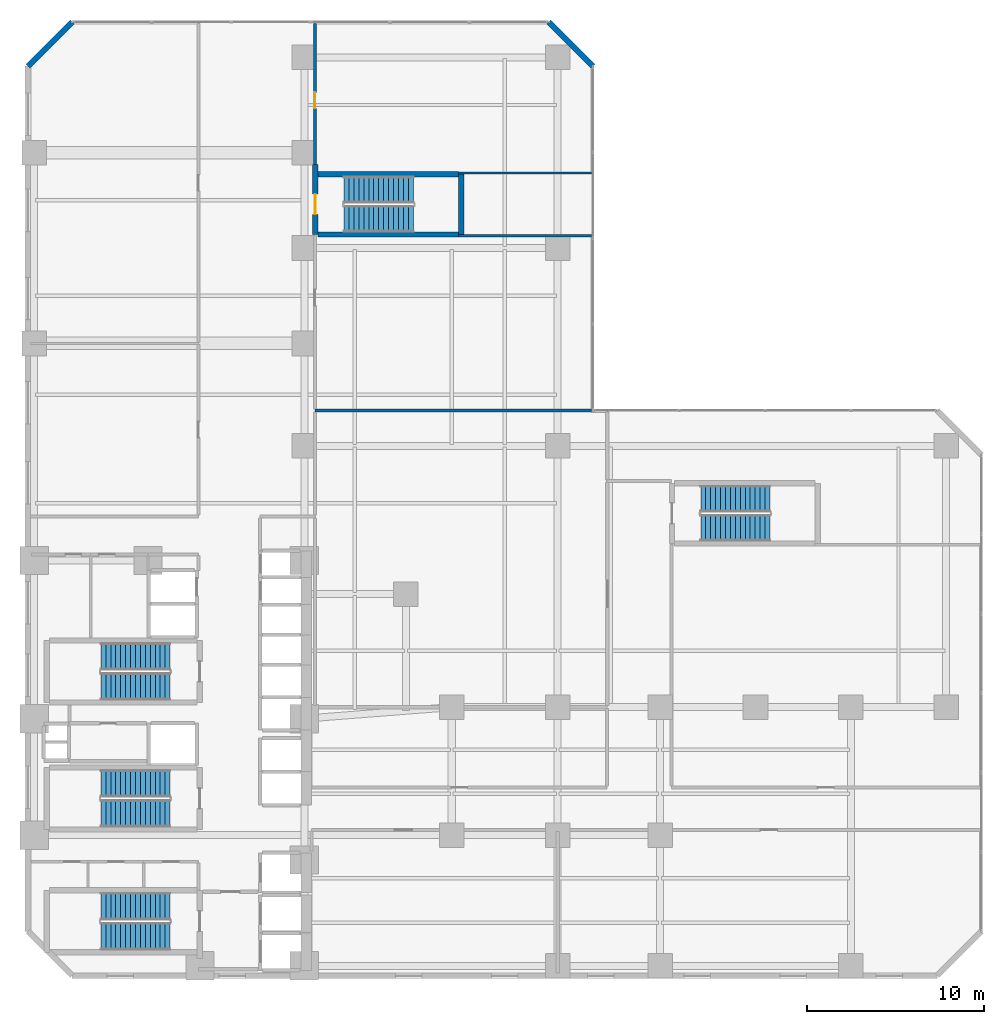
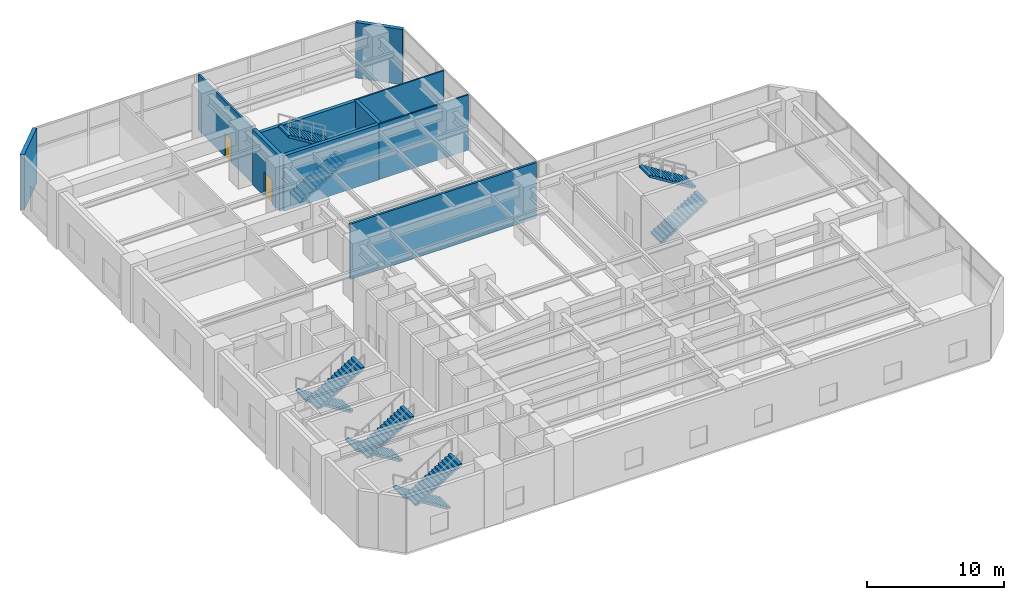
# One storey, part 17 of 22: 10 stair flights, 10 walls, 2 doors, 2 openings, 5 elements without a shape of their own.
"""IFC4 building model written with IfcOpenShell, lengths in metres."""

import ifcopenshell
import ifcopenshell.guid

model = None  # the IFC model being written
_history = None  # IfcOwnerHistory: only IFC2X3 demands one
_inside = {}  # id of a spatial element -> (the spatial element, [elements in it])
_under = {}  # id of a project, library or spatial element -> (it, [spatial elements below it])
_declared = {}  # id of a project -> (the project, [libraries it declares])
_typed = {}  # id of a type object -> (the type object, [elements of that type])
_made_of = {}  # id of a material, layer set ... -> (it, [elements and type objects made of it])


def new_model(schema):
    """Start an empty IFC model of exactly this schema.

    Asked for "IFC4X3", IfcOpenShell would pick the latest addendum, in which some entities
    have other attributes; the version numbers below select the first issue.
    IFC2X3 requires an IfcOwnerHistory on every rooted entity: one is made here for all.
    """
    global model, _history
    if schema == "IFC4X3":
        model = ifcopenshell.file(schema_version=(4, 3, 0, 0))
    else:
        model = ifcopenshell.file(schema=schema)
    _inside.clear()
    _under.clear()
    _declared.clear()
    _typed.clear()
    _made_of.clear()
    _history = None
    if model.schema == "IFC2X3":
        org = make("IfcOrganization", Name="unknown")
        user = make(
            "IfcPersonAndOrganization",
            ThePerson=make("IfcPerson", FamilyName="unknown"),
            TheOrganization=org,
        )
        app = make(
            "IfcApplication",
            ApplicationDeveloper=org,
            Version="unknown",
            ApplicationFullName="unknown",
            ApplicationIdentifier="unknown",
        )
        _history = make(
            "IfcOwnerHistory",
            OwningUser=user,
            OwningApplication=app,
            ChangeAction="ADDED",
            CreationDate=0,
        )
    return model


def make(cls, **values):
    """One entity of the class cls with the attributes given. An attribute that is None is left unset."""
    return model.create_entity(
        cls, **{name: value for name, value in values.items() if value is not None}
    )


def rooted(cls, **values):
    """An entity with a GlobalId (a new one), such as an element, a storey or a relation."""
    return make(cls, GlobalId=ifcopenshell.guid.new(), OwnerHistory=_history, **values)


def si_unit(unit_type, name, prefix=None):
    """IfcSIUnit, for example si_unit("LENGTHUNIT", "METRE", prefix="MILLI")."""
    return make("IfcSIUnit", UnitType=unit_type, Prefix=prefix, Name=name)


def assignment(units):
    """IfcUnitAssignment: the units of a project."""
    return None if units is None else make("IfcUnitAssignment", Units=units)


def point(xyz):
    """IfcCartesianPoint."""
    return None if xyz is None else make("IfcCartesianPoint", Coordinates=xyz)


def direction(xyz):
    """IfcDirection."""
    return None if xyz is None else make("IfcDirection", DirectionRatios=xyz)


def frame(location, z_axis=None, x_axis=None):
    """IfcAxis2Placement3D, a coordinate frame: its origin and axes. An axis left out is left unset."""
    return make(
        "IfcAxis2Placement3D",
        Location=point(location),
        Axis=direction(z_axis),
        RefDirection=direction(x_axis),
    )


def frame_2d(location, x_axis=None):
    """IfcAxis2Placement2D, a coordinate frame in the plane: its origin and x axis."""
    return make(
        "IfcAxis2Placement2D", Location=point(location), RefDirection=direction(x_axis)
    )


def origin():
    """The frame at (0, 0, 0) with its axes left unset."""
    return frame((0.0, 0.0, 0.0))


def place(relative_to, where):
    """IfcLocalPlacement: puts the frame where relative to a parent placement (None: the world)."""
    return make(
        "IfcLocalPlacement", PlacementRelTo=relative_to, RelativePlacement=where
    )


def context(
    kind, dimensions, precision=None, world=None, true_north=None, identifier=None
):
    """IfcGeometricRepresentationContext, for example the 3D "Model" context."""
    return make(
        "IfcGeometricRepresentationContext",
        ContextIdentifier=identifier,
        ContextType=kind,
        CoordinateSpaceDimension=dimensions,
        Precision=precision,
        WorldCoordinateSystem=world,
        TrueNorth=true_north,
    )


def subcontext(parent, identifier, kind, view, scale=None):
    """IfcGeometricRepresentationSubContext, for example "Body" below "Model"."""
    return make(
        "IfcGeometricRepresentationSubContext",
        ContextIdentifier=identifier,
        ContextType=kind,
        ParentContext=parent,
        TargetScale=scale,
        TargetView=view,
    )


def project(units=None, contexts=None):
    """IfcProject with its units and contexts."""
    return rooted(
        "IfcProject",
        Name="project",
        RepresentationContexts=contexts,
        UnitsInContext=assignment(units),
    )


def spatial(cls, under=None, at=None, **own):
    """A site, building, storey or space (cls), placed at a placement, below another one or the project."""
    s = rooted(cls, ObjectPlacement=at, **own)
    if under is not None:
        _under.setdefault(under.id(), (under, []))[1].append(s)
    return s


def polyline(points):
    """IfcPolyline through the points."""
    return make("IfcPolyline", Points=[point(p) for p in points])


def profile(cls, at=None, kind="AREA", **sizes):
    """A parametric profile (cls). Its sizes go by their IFC names, for example OverallWidth=200.0."""
    return make(cls, ProfileType=kind, Position=at, **sizes)


def rectangle(**sizes):
    """IfcRectangleProfileDef."""
    return profile("IfcRectangleProfileDef", **sizes)


def outline(outer, holes=None, kind="AREA"):
    """IfcArbitraryClosedProfileDef: a profile drawn as a closed curve; with holes, ...WithVoids."""
    if holes is None:
        return make("IfcArbitraryClosedProfileDef", ProfileType=kind, OuterCurve=outer)
    return make(
        "IfcArbitraryProfileDefWithVoids",
        ProfileType=kind,
        OuterCurve=outer,
        InnerCurves=holes,
    )


def extrude(swept, where, along, depth):
    """IfcExtrudedAreaSolid: the profile swept, set in the frame where, extruded along a direction by depth."""
    return make(
        "IfcExtrudedAreaSolid",
        SweptArea=swept,
        Position=where,
        ExtrudedDirection=direction(along),
        Depth=depth,
    )


def shape(context_of_items, identifier, shape_type, items):
    """IfcShapeRepresentation: the items that make up one representation, for example the "Body"."""
    return make(
        "IfcShapeRepresentation",
        ContextOfItems=context_of_items,
        RepresentationIdentifier=identifier,
        RepresentationType=shape_type,
        Items=items,
    )


def material(Name=None, Category=None):
    """IfcMaterial."""
    return make("IfcMaterial", Name=Name, Category=Category)


def layer(
    of_material, thickness, ventilated=None, Name=None, Category=None, Priority=None
):
    """IfcMaterialLayer: one layer of a wall or slab, of a material (None: an air gap)."""
    return make(
        "IfcMaterialLayer",
        Material=of_material,
        LayerThickness=thickness,
        IsVentilated=ventilated,
        Name=Name,
        Category=Category,
        Priority=Priority,
    )


def layer_set(layers, Name=None):
    """IfcMaterialLayerSet."""
    return make("IfcMaterialLayerSet", MaterialLayers=layers, LayerSetName=Name)


def made_of(thing, what):
    """Note that an element or type object is made of a material, layer set ...; save() writes the relation."""
    if what is not None:
        _made_of.setdefault(what.id(), (what, []))[1].append(thing)
    return thing


def type_object(cls, material=None, **own):
    """A type object (cls), such as IfcWallType, which elements share."""
    return made_of(rooted(cls, **own), material)


def element(
    cls,
    number,
    at=None,
    inside=None,
    cuts=None,
    type_object=None,
    material=None,
    context=None,
    identifier="Body",
    shape_type=None,
    held_by="IfcProductDefinitionShape",
    body=None,
    shapes=None,
    **own,
):
    """One element of the class cls, such as IfcWall. Its Tag is "e" and its number.

    at: its placement. inside: the storey or other place that contains it. cuts: it is an
    opening in that element (IfcRelVoidsElement). A single representation is given by context,
    identifier, shape_type and body (its items); several are given by shapes. held_by: the class
    of the entity that holds the representations. save() writes the other relations.
    """
    e = rooted(cls, Tag="e%d" % number, ObjectPlacement=at, **own)
    if body is not None:
        shapes = [shape(context, identifier, shape_type, body)]
    if shapes is not None:
        e.Representation = make(held_by, Representations=shapes)
    if inside is not None:
        _inside.setdefault(inside.id(), (inside, []))[1].append(e)
    if cuts is not None:
        rooted(
            "IfcRelVoidsElement", RelatingBuildingElement=cuts, RelatedOpeningElement=e
        )
    if type_object is not None:
        _typed.setdefault(type_object.id(), (type_object, []))[1].append(e)
    return made_of(e, material)


def fill(opening, filler):
    """IfcRelFillsElement: the door or window that sits in an opening."""
    return rooted(
        "IfcRelFillsElement",
        RelatingOpeningElement=opening,
        RelatedBuildingElement=filler,
    )


def aggregate(whole, parts):
    """IfcRelAggregates: a whole, such as a stair, and the parts it consists of."""
    return rooted("IfcRelAggregates", RelatingObject=whole, RelatedObjects=parts)


def save(model, path):
    """Write the relations noted so far, then the file.

    IfcRelAggregates (storeys below a building ...), IfcRelContainedInSpatialStructure (elements
    in a storey), IfcRelDefinesByType, IfcRelAssociatesMaterial and IfcRelDeclares: one each for
    every whole, place, type object, material and project.
    """
    for whole, parts in _under.values():
        aggregate(whole, parts)
    for where, things in _inside.values():
        rooted(
            "IfcRelContainedInSpatialStructure",
            RelatedElements=things,
            RelatingStructure=where,
        )
    for kind, things in _typed.values():
        rooted("IfcRelDefinesByType", RelatedObjects=things, RelatingType=kind)
    for what, things in _made_of.values():
        rooted("IfcRelAssociatesMaterial", RelatedObjects=things, RelatingMaterial=what)
    for by, libraries in _declared.values():
        rooted("IfcRelDeclares", RelatingContext=by, RelatedDefinitions=libraries)
    model.write(path)


model = new_model("IFC4")

# Units and contexts
model_context = context("Model", 3, precision=1e-05, world=origin(), true_north=direction((0.0, 1.0)))
body_context = subcontext(model_context, "Body", "Model", "MODEL_VIEW")
ifc_project = project(units=[si_unit("LENGTHUNIT", "METRE"), si_unit("AREAUNIT", "SQUARE_METRE"), si_unit("VOLUMEUNIT", "CUBIC_METRE"), si_unit("PLANEANGLEUNIT", "RADIAN"), si_unit("MASSUNIT", "GRAM", prefix="KILO")], contexts=[model_context])

# Site, building, storey
site_placement = place(None, origin())
site = spatial("IfcSite", under=ifc_project, at=site_placement, CompositionType="ELEMENT")
building_placement = place(site_placement, origin())
building = spatial("IfcBuilding", under=site, at=building_placement, Name="Mawjaban Terraces University", CompositionType="ELEMENT")
storey_placement = place(building_placement, frame((0.0, 0.0, 5.199951171875)))
storey = spatial("IfcBuildingStorey", under=building, at=storey_placement, Name="L01", CompositionType="ELEMENT", Elevation=5.199951171875)

# Wall
ifc_material_1 = material(Name="Acoustic masonry blockwork", Category="masonry")
ifc_layer_1 = layer(ifc_material_1, 0.179931640625)
ifc_layer_set_1 = layer_set([ifc_layer_1], Name="Acoustic masonry blockwork")
wall_type_1 = type_object("IfcWallType", Name="AcousticStudioWall_180", PredefinedType="PARTITIONING", material=ifc_layer_set_1)
wall_1_placement = place(storey_placement, frame((38.25, 32.0, 0.0), z_axis=(0.0, 0.0, 1.0), x_axis=(1.0, 0.0, 0.0)))
element("IfcWall", 1, at=wall_1_placement, inside=storey, type_object=wall_type_1, Name="L01 Digital Scholarship Reading Hall Partition 16", PredefinedType="PARTITIONING", context=body_context, shape_type="SweptSolid", body=[
    extrude(rectangle(XDim=15.659912109375, YDim=0.179931640625, at=frame_2d((7.830078125, 0.0))), origin(), (0.0, 0.0, 1.0), 4.920166015625),
])

# Wall, opening, door
ifc_material_2 = material(Name="Fire-rated gypsum board on steel stud", Category="steel")
ifc_layer_2 = layer(ifc_material_2, 0.159912109375)
ifc_layer_set_2 = layer_set([ifc_layer_2], Name="Fire-rated gypsum board on steel stud")
wall_type_2 = type_object("IfcWallType", Name="CorridorPartition_160", PredefinedType="PARTITIONING", material=ifc_layer_set_2)
wall_2_placement = place(storey_placement, frame((38.25, 45.919921875, 0.0), z_axis=(0.0, 0.0, 1.0), x_axis=(0.0, 1.0, 0.0)))
wall_2 = element("IfcWall", 2, at=wall_2_placement, inside=storey, type_object=wall_type_2, Name="L01 Podium Library Concourse Partition 38", PredefinedType="PARTITIONING", context=body_context, shape_type="SweptSolid", body=[
    extrude(rectangle(XDim=7.989990234375, YDim=0.159912109375, at=frame_2d((3.9951171875, 0.0))), origin(), (0.0, 0.0, 1.0), 4.920166015625),
])
opening_1_placement = place(wall_2_placement, frame((3.195068359375, 0.0, 0.0)))
opening_1 = element("IfcOpeningElement", 3, at=opening_1_placement, cuts=wall_2, Name="Opening ID-090", PredefinedType="OPENING", context=body_context, shape_type="SweptSolid", body=[
    extrude(rectangle(XDim=0.89990234375, YDim=2.10009765625, at=frame_2d((0.449951171875, 1.050048828125))), frame((0.0, 0.08984375, 0.0), z_axis=(0.0, -1.0, 0.0), x_axis=(1.0, 0.0, 0.0)), (0.0, 0.0, 1.0), 0.179931640625),
])
ifc_material_3 = material(Name="Powder-coated steel frame and solid acoustic timber leaf", Category="steel")
door_type_1 = type_object("IfcDoorType", Name="OfficeDoor_900x2100", OperationType="NOTDEFINED", PredefinedType="DOOR", material=ifc_material_3)
door_1_placement = place(opening_1_placement, origin())
door_1 = element("IfcDoor", 4, at=door_1_placement, inside=storey, type_object=door_type_1, Name="L01 Special Collections Study Room Door", OperationType="SINGLE_SWING_LEFT", OverallHeight=2.10009765625, OverallWidth=0.89990234375, PredefinedType="DOOR", context=body_context, shape_type="SweptSolid", body=[
    extrude(rectangle(XDim=0.89990234375, YDim=2.10009765625, at=frame_2d((0.449951171875, 1.050048828125))), frame((0.0, 0.02490234375, 0.0), z_axis=(0.0, -1.0, 0.0), x_axis=(1.0, 0.0, 0.0)), (0.0, 0.0, 1.0), 0.050048828125),
])
fill(opening_1, door_1)

# Walls
ifc_material_4 = material(Name="Insulated terracotta rainscreen on concrete backup C40/50", Category="masonry")
ifc_layer_3 = layer(ifc_material_4, 0.320068359375)
ifc_layer_set_3 = layer_set([ifc_layer_3], Name="Insulated terracotta rainscreen on concrete backup C40/50")
wall_type_3 = type_object("IfcWallType", Name="ExtTerracottaWall_320", PredefinedType="SOLIDWALL", material=ifc_layer_set_3)
for number, where, z_axis, x_axis, name in (
    (5, (54.0, 51.5, 0.0), (0.0, 0.0, 1.0), (-0.707106781187, 0.707106781187, 0.0), "L01 Exterior Terracotta Wall 7"),
    (6, (24.5, 54.0, 0.0), (0.0, 0.0, 1.0), (-0.707106781187, -0.707106781187, 0.0), "L01 Exterior Terracotta Wall 9"),
):
    element("IfcWall", number, at=place(storey_placement, frame(where, z_axis=z_axis, x_axis=x_axis)), inside=storey, type_object=wall_type_3, Name=name, PredefinedType="SOLIDWALL", context=body_context, shape_type="SweptSolid", body=[
        extrude(rectangle(XDim=3.53564453125, YDim=0.320068359375, at=frame_2d((1.767822265625, 0.0))), origin(), (0.0, 0.0, 1.0), 4.920166015625),
    ])
ifc_material_5 = material(Name="Gypsum plasterboard on steel stud", Category="steel")
ifc_layer_4 = layer(ifc_material_5, 0.125)
ifc_layer_set_4 = layer_set([ifc_layer_4], Name="Gypsum plasterboard on steel stud")
wall_type_4 = type_object("IfcWallType", Name="OfficePartition_125", PredefinedType="PARTITIONING", material=ifc_layer_set_4)
for number, where, z_axis, x_axis, name in (
    (7, (46.3798828125, 45.449951171875, 0.0), (0.0, 0.0, 1.0), (1.0, 0.0, 0.0), "L01 Special Collections Study Room Partition 17"),
    (8, (53.909912109375, 41.89990234375, 0.0), (0.0, 0.0, 1.0), (-1.0, 0.0, 0.0), "L01 Digital Scholarship Reading Hall Partition 19"),
):
    element("IfcWall", number, at=place(storey_placement, frame(where, z_axis=z_axis, x_axis=x_axis)), inside=storey, type_object=wall_type_4, Name=name, PredefinedType="PARTITIONING", context=body_context, shape_type="SweptSolid", body=[
        extrude(rectangle(XDim=7.530029296875, YDim=0.125, at=frame_2d((3.76513671875, 0.0))), origin(), (0.0, 0.0, 1.0), 4.920166015625),
    ])
ifc_material_6 = material(Name="Concrete C60/75", Category="concrete")
ifc_layer_5 = layer(ifc_material_6, 0.300048828125)
ifc_layer_set_5 = layer_set([ifc_layer_5], Name="Concrete C60/75")
wall_type_5 = type_object("IfcWallType", Name="StairShaftWall_300", PredefinedType="SHEAR", material=ifc_layer_set_5)
wall_3_placement = place(storey_placement, frame((38.419921875, 41.969970703125, 0.0), z_axis=(0.0, 0.0, 1.0), x_axis=(1.0, 0.0, 0.0)))
element("IfcWall", 9, at=wall_3_placement, inside=storey, type_object=wall_type_5, Name="L01 ST-4 Stair Shaft Wall 1", PredefinedType="SHEAR", context=body_context, shape_type="SweptSolid", body=[
    extrude(rectangle(XDim=7.9599609375, YDim=0.300048828125, at=frame_2d((3.97998046875, 0.0))), origin(), (0.0, 0.0, 1.0), 4.920166015625),
])
wall_4_placement = place(storey_placement, frame((46.530029296875, 41.969970703125, 0.0), z_axis=(0.0, 0.0, 1.0), x_axis=(0.0, 1.0, 0.0)))
element("IfcWall", 10, at=wall_4_placement, inside=storey, type_object=wall_type_5, Name="L01 ST-4 Stair Shaft Wall 2", PredefinedType="SHEAR", context=body_context, shape_type="SweptSolid", body=[
    extrude(rectangle(XDim=3.409912109375, YDim=0.300048828125, at=frame_2d((1.705078125, 0.0))), origin(), (0.0, 0.0, 1.0), 4.920166015625),
])
wall_5_placement = place(storey_placement, frame((46.3798828125, 45.3798828125, 0.0), z_axis=(0.0, 0.0, 1.0), x_axis=(-1.0, 0.0, 0.0)))
element("IfcWall", 11, at=wall_5_placement, inside=storey, type_object=wall_type_5, Name="L01 ST-4 Stair Shaft Wall 3", PredefinedType="SHEAR", context=body_context, shape_type="SweptSolid", body=[
    extrude(rectangle(XDim=7.9599609375, YDim=0.300048828125, at=frame_2d((3.97998046875, 0.0))), origin(), (0.0, 0.0, 1.0), 4.920166015625),
])

# Wall, opening, door
wall_6_placement = place(storey_placement, frame((38.27001953125, 45.919921875, 0.0), z_axis=(0.0, 0.0, 1.0), x_axis=(0.0, -1.0, 0.0)))
wall_6 = element("IfcWall", 12, at=wall_6_placement, inside=storey, type_object=wall_type_5, Name="L01 ST-4 Stair Shaft Wall 4", PredefinedType="SHEAR", context=body_context, shape_type="SweptSolid", body=[
    extrude(rectangle(XDim=3.949951171875, YDim=0.300048828125, at=frame_2d((1.97509765625, 0.0))), origin(), (0.0, 0.0, 1.0), 4.920166015625),
])
opening_2_placement = place(wall_6_placement, frame((1.669921875, 0.0, 0.0)))
opening_2 = element("IfcOpeningElement", 13, at=opening_2_placement, cuts=wall_6, Name="Opening FD-115", PredefinedType="OPENING", context=body_context, shape_type="SweptSolid", body=[
    extrude(rectangle(XDim=1.14990234375, YDim=2.14990234375, at=frame_2d((0.574951171875, 1.074951171875))), frame((0.0, 0.159912109375, 0.0), z_axis=(0.0, -1.0, 0.0), x_axis=(1.0, 0.0, 0.0)), (0.0, 0.0, 1.0), 0.320068359375),
])
ifc_material_7 = material(Name="Powder-coated steel frame and fire-rated steel-faced leaf", Category="steel")
door_type_2 = type_object("IfcDoorType", Name="FireStairDoor_1150x2150", OperationType="NOTDEFINED", PredefinedType="DOOR", material=ifc_material_7)
door_2_placement = place(opening_2_placement, origin())
door_2 = element("IfcDoor", 14, at=door_2_placement, inside=storey, type_object=door_type_2, Name="L01 ST-4 Pressurised Stair Fire Door", OperationType="SINGLE_SWING_RIGHT", OverallHeight=2.14990234375, OverallWidth=1.14990234375, PredefinedType="DOOR", context=body_context, shape_type="SweptSolid", body=[
    extrude(rectangle(XDim=1.14990234375, YDim=2.14990234375, at=frame_2d((0.574951171875, 1.074951171875))), frame((0.0, 0.02490234375, 0.0), z_axis=(0.0, -1.0, 0.0), x_axis=(1.0, 0.0, 0.0)), (0.0, 0.0, 1.0), 0.050048828125),
])
fill(opening_2, door_2)

# Stair, stair flights
ifc_material_8 = material(Name="Concrete C40/50", Category="concrete")
stair_type_1 = type_object("IfcStairType", Name="Stair_Core1550_H52", PredefinedType="HALF_TURN_STAIR", material=ifc_material_8)
stair_1_placement = place(storey_placement, origin())
stair_1 = element("IfcStair", 15, at=stair_1_placement, inside=storey, type_object=stair_type_1, Name="L01 Core Exit Stair 1", PredefinedType="HALF_TURN_STAIR")
stair_flight_type_1 = type_object("IfcStairFlightType", Name="Flight_Core1550_H52", PredefinedType="STRAIGHT", material=ifc_material_8)
stair_flight_1_placement = place(storey_placement, frame((30.050048828125, 3.925048828125, 0.0), z_axis=(0.0, 0.0, 1.0), x_axis=(-1.0, 0.0, 0.0)))
stair_flight_1 = element("IfcStairFlight", 16, at=stair_flight_1_placement, type_object=stair_flight_type_1, Name="ST-1 flight 1", NumberOfRisers=15, NumberOfTreads=14, PredefinedType="STRAIGHT", RiserHeight=0.173333333, TreadLength=0.28, context=body_context, shape_type="SweptSolid", body=[
    extrude(outline(polyline([(0.0, 0.0), (0.0, 0.17333984375), (0.280029296875, 0.17333984375), (0.280029296875, 0.3466796875), (0.56005859375, 0.3466796875), (0.56005859375, 0.52001953125), (0.840087890625, 0.52001953125), (0.840087890625, 0.693359375), (1.1201171875, 0.693359375), (1.1201171875, 0.86669921875), (1.39990234375, 0.86669921875), (1.39990234375, 1.0400390625), (1.679931640625, 1.0400390625), (1.679931640625, 1.21337890625), (1.9599609375, 1.21337890625), (1.9599609375, 1.38671875), (2.239990234375, 1.38671875), (2.239990234375, 1.56005859375), (2.52001953125, 1.56005859375), (2.52001953125, 1.7333984375), (2.800048828125, 1.7333984375), (2.800048828125, 1.90673828125), (3.080078125, 1.90673828125), (3.080078125, 2.080078125), (3.360107421875, 2.080078125), (3.360107421875, 2.25341796875), (3.639892578125, 2.25341796875), (3.639892578125, 2.4267578125), (3.919921875, 2.4267578125), (3.919921875, 2.60009765625), (3.919921875, 2.250244140625), (0.284912109375, 0.0), (0.0, 0.0)])), frame((0.0, 0.77490234375, 0.0), z_axis=(0.0, -1.0, 0.0), x_axis=(1.0, 0.0, 0.0)), (0.0, 0.0, 1.0), 1.550048828125),
])
stair_flight_2_placement = place(storey_placement, frame((26.1298828125, 2.22509765625, 2.60009765625), z_axis=(0.0, 0.0, 1.0), x_axis=(1.0, 0.0, 0.0)))
stair_flight_2 = element("IfcStairFlight", 17, at=stair_flight_2_placement, type_object=stair_flight_type_1, Name="ST-1 flight 2", NumberOfRisers=15, NumberOfTreads=14, PredefinedType="STRAIGHT", RiserHeight=0.173333333, TreadLength=0.28, context=body_context, shape_type="SweptSolid", body=[
    extrude(outline(polyline([(0.0, 0.0), (0.0, 0.17333984375), (0.280029296875, 0.17333984375), (0.280029296875, 0.3466796875), (0.56005859375, 0.3466796875), (0.56005859375, 0.52001953125), (0.840087890625, 0.52001953125), (0.840087890625, 0.693359375), (1.1201171875, 0.693359375), (1.1201171875, 0.86669921875), (1.39990234375, 0.86669921875), (1.39990234375, 1.0400390625), (1.679931640625, 1.0400390625), (1.679931640625, 1.21337890625), (1.9599609375, 1.21337890625), (1.9599609375, 1.38671875), (2.239990234375, 1.38671875), (2.239990234375, 1.56005859375), (2.52001953125, 1.56005859375), (2.52001953125, 1.7333984375), (2.800048828125, 1.7333984375), (2.800048828125, 1.90673828125), (3.080078125, 1.90673828125), (3.080078125, 2.080078125), (3.360107421875, 2.080078125), (3.360107421875, 2.25341796875), (3.639892578125, 2.25341796875), (3.639892578125, 2.4267578125), (3.919921875, 2.4267578125), (3.919921875, 2.60009765625), (3.919921875, 2.250244140625), (0.284912109375, 0.0), (0.0, 0.0)])), frame((0.0, 0.77490234375, 0.0), z_axis=(0.0, -1.0, 0.0), x_axis=(1.0, 0.0, 0.0)), (0.0, 0.0, 1.0), 1.550048828125),
])
aggregate(stair_1, [stair_flight_1, stair_flight_2])

stair_2_placement = place(storey_placement, origin())
stair_2 = element("IfcStair", 18, at=stair_2_placement, inside=storey, type_object=stair_type_1, Name="L01 Core Exit Stair 2", PredefinedType="HALF_TURN_STAIR")
stair_flight_3_placement = place(storey_placement, frame((30.050048828125, 18.074951171875, 0.0), z_axis=(0.0, 0.0, 1.0), x_axis=(-1.0, 0.0, 0.0)))
stair_flight_3 = element("IfcStairFlight", 19, at=stair_flight_3_placement, type_object=stair_flight_type_1, Name="ST-2 flight 1", NumberOfRisers=15, NumberOfTreads=14, PredefinedType="STRAIGHT", RiserHeight=0.173333333, TreadLength=0.28, context=body_context, shape_type="SweptSolid", body=[
    extrude(outline(polyline([(0.0, 0.0), (0.0, 0.17333984375), (0.280029296875, 0.17333984375), (0.280029296875, 0.3466796875), (0.56005859375, 0.3466796875), (0.56005859375, 0.52001953125), (0.840087890625, 0.52001953125), (0.840087890625, 0.693359375), (1.1201171875, 0.693359375), (1.1201171875, 0.86669921875), (1.39990234375, 0.86669921875), (1.39990234375, 1.0400390625), (1.679931640625, 1.0400390625), (1.679931640625, 1.21337890625), (1.9599609375, 1.21337890625), (1.9599609375, 1.38671875), (2.239990234375, 1.38671875), (2.239990234375, 1.56005859375), (2.52001953125, 1.56005859375), (2.52001953125, 1.7333984375), (2.800048828125, 1.7333984375), (2.800048828125, 1.90673828125), (3.080078125, 1.90673828125), (3.080078125, 2.080078125), (3.360107421875, 2.080078125), (3.360107421875, 2.25341796875), (3.639892578125, 2.25341796875), (3.639892578125, 2.4267578125), (3.919921875, 2.4267578125), (3.919921875, 2.60009765625), (3.919921875, 2.250244140625), (0.284912109375, 0.0), (0.0, 0.0)])), frame((0.0, 0.77490234375, 0.0), z_axis=(0.0, -1.0, 0.0), x_axis=(1.0, 0.0, 0.0)), (0.0, 0.0, 1.0), 1.550048828125),
])
stair_flight_4_placement = place(storey_placement, frame((26.1298828125, 16.375, 2.60009765625), z_axis=(0.0, 0.0, 1.0), x_axis=(1.0, 0.0, 0.0)))
stair_flight_4 = element("IfcStairFlight", 20, at=stair_flight_4_placement, type_object=stair_flight_type_1, Name="ST-2 flight 2", NumberOfRisers=15, NumberOfTreads=14, PredefinedType="STRAIGHT", RiserHeight=0.173333333, TreadLength=0.28, context=body_context, shape_type="SweptSolid", body=[
    extrude(outline(polyline([(0.0, 0.0), (0.0, 0.17333984375), (0.280029296875, 0.17333984375), (0.280029296875, 0.3466796875), (0.56005859375, 0.3466796875), (0.56005859375, 0.52001953125), (0.840087890625, 0.52001953125), (0.840087890625, 0.693359375), (1.1201171875, 0.693359375), (1.1201171875, 0.86669921875), (1.39990234375, 0.86669921875), (1.39990234375, 1.0400390625), (1.679931640625, 1.0400390625), (1.679931640625, 1.21337890625), (1.9599609375, 1.21337890625), (1.9599609375, 1.38671875), (2.239990234375, 1.38671875), (2.239990234375, 1.56005859375), (2.52001953125, 1.56005859375), (2.52001953125, 1.7333984375), (2.800048828125, 1.7333984375), (2.800048828125, 1.90673828125), (3.080078125, 1.90673828125), (3.080078125, 2.080078125), (3.360107421875, 2.080078125), (3.360107421875, 2.25341796875), (3.639892578125, 2.25341796875), (3.639892578125, 2.4267578125), (3.919921875, 2.4267578125), (3.919921875, 2.60009765625), (3.919921875, 2.250244140625), (0.284912109375, 0.0), (0.0, 0.0)])), frame((0.0, 0.77490234375, 0.0), z_axis=(0.0, -1.0, 0.0), x_axis=(1.0, 0.0, 0.0)), (0.0, 0.0, 1.0), 1.550048828125),
])
aggregate(stair_2, [stair_flight_3, stair_flight_4])

stair_3_placement = place(storey_placement, origin())
stair_3 = element("IfcStair", 21, at=stair_3_placement, inside=storey, type_object=stair_type_1, Name="L01 Core Exit Stair 3", PredefinedType="HALF_TURN_STAIR")
stair_flight_5_placement = place(storey_placement, frame((30.050048828125, 10.875, 0.0), z_axis=(0.0, 0.0, 1.0), x_axis=(-1.0, 0.0, 0.0)))
stair_flight_5 = element("IfcStairFlight", 22, at=stair_flight_5_placement, type_object=stair_flight_type_1, Name="ST-3 flight 1", NumberOfRisers=15, NumberOfTreads=14, PredefinedType="STRAIGHT", RiserHeight=0.173333333, TreadLength=0.28, context=body_context, shape_type="SweptSolid", body=[
    extrude(outline(polyline([(0.0, 0.0), (0.0, 0.17333984375), (0.280029296875, 0.17333984375), (0.280029296875, 0.3466796875), (0.56005859375, 0.3466796875), (0.56005859375, 0.52001953125), (0.840087890625, 0.52001953125), (0.840087890625, 0.693359375), (1.1201171875, 0.693359375), (1.1201171875, 0.86669921875), (1.39990234375, 0.86669921875), (1.39990234375, 1.0400390625), (1.679931640625, 1.0400390625), (1.679931640625, 1.21337890625), (1.9599609375, 1.21337890625), (1.9599609375, 1.38671875), (2.239990234375, 1.38671875), (2.239990234375, 1.56005859375), (2.52001953125, 1.56005859375), (2.52001953125, 1.7333984375), (2.800048828125, 1.7333984375), (2.800048828125, 1.90673828125), (3.080078125, 1.90673828125), (3.080078125, 2.080078125), (3.360107421875, 2.080078125), (3.360107421875, 2.25341796875), (3.639892578125, 2.25341796875), (3.639892578125, 2.4267578125), (3.919921875, 2.4267578125), (3.919921875, 2.60009765625), (3.919921875, 2.250244140625), (0.284912109375, 0.0), (0.0, 0.0)])), frame((0.0, 0.77490234375, 0.0), z_axis=(0.0, -1.0, 0.0), x_axis=(1.0, 0.0, 0.0)), (0.0, 0.0, 1.0), 1.550048828125),
])
stair_flight_6_placement = place(storey_placement, frame((26.1298828125, 9.175048828125, 2.60009765625), z_axis=(0.0, 0.0, 1.0), x_axis=(1.0, 0.0, 0.0)))
stair_flight_6 = element("IfcStairFlight", 23, at=stair_flight_6_placement, type_object=stair_flight_type_1, Name="ST-3 flight 2", NumberOfRisers=15, NumberOfTreads=14, PredefinedType="STRAIGHT", RiserHeight=0.173333333, TreadLength=0.28, context=body_context, shape_type="SweptSolid", body=[
    extrude(outline(polyline([(0.0, 0.0), (0.0, 0.17333984375), (0.280029296875, 0.17333984375), (0.280029296875, 0.3466796875), (0.56005859375, 0.3466796875), (0.56005859375, 0.52001953125), (0.840087890625, 0.52001953125), (0.840087890625, 0.693359375), (1.1201171875, 0.693359375), (1.1201171875, 0.86669921875), (1.39990234375, 0.86669921875), (1.39990234375, 1.0400390625), (1.679931640625, 1.0400390625), (1.679931640625, 1.21337890625), (1.9599609375, 1.21337890625), (1.9599609375, 1.38671875), (2.239990234375, 1.38671875), (2.239990234375, 1.56005859375), (2.52001953125, 1.56005859375), (2.52001953125, 1.7333984375), (2.800048828125, 1.7333984375), (2.800048828125, 1.90673828125), (3.080078125, 1.90673828125), (3.080078125, 2.080078125), (3.360107421875, 2.080078125), (3.360107421875, 2.25341796875), (3.639892578125, 2.25341796875), (3.639892578125, 2.4267578125), (3.919921875, 2.4267578125), (3.919921875, 2.60009765625), (3.919921875, 2.250244140625), (0.284912109375, 0.0), (0.0, 0.0)])), frame((0.0, 0.77490234375, 0.0), z_axis=(0.0, -1.0, 0.0), x_axis=(1.0, 0.0, 0.0)), (0.0, 0.0, 1.0), 1.550048828125),
])
aggregate(stair_3, [stair_flight_5, stair_flight_6])

stair_type_2 = type_object("IfcStairType", Name="Stair_Pod1500_H52", PredefinedType="HALF_TURN_STAIR", material=ifc_material_8)
stair_4_placement = place(storey_placement, origin())
stair_4 = element("IfcStair", 24, at=stair_4_placement, inside=storey, type_object=stair_type_2, Name="L01 Podium North Exit Stair 4", PredefinedType="HALF_TURN_STAIR")
stair_flight_type_2 = type_object("IfcStairFlightType", Name="Flight_Pod1500_H52", PredefinedType="STRAIGHT", material=ifc_material_8)
stair_flight_7_placement = place(storey_placement, frame((39.89990234375, 42.85009765625, 0.0), z_axis=(0.0, 0.0, 1.0), x_axis=(1.0, 0.0, 0.0)))
stair_flight_7 = element("IfcStairFlight", 25, at=stair_flight_7_placement, type_object=stair_flight_type_2, Name="ST-4 flight 1", NumberOfRisers=15, NumberOfTreads=14, PredefinedType="STRAIGHT", RiserHeight=0.173333333, TreadLength=0.28, context=body_context, shape_type="SweptSolid", body=[
    extrude(outline(polyline([(0.0, 0.0), (0.0, 0.17333984375), (0.280029296875, 0.17333984375), (0.280029296875, 0.3466796875), (0.56005859375, 0.3466796875), (0.56005859375, 0.52001953125), (0.840087890625, 0.52001953125), (0.840087890625, 0.693359375), (1.1201171875, 0.693359375), (1.1201171875, 0.86669921875), (1.39990234375, 0.86669921875), (1.39990234375, 1.0400390625), (1.679931640625, 1.0400390625), (1.679931640625, 1.21337890625), (1.9599609375, 1.21337890625), (1.9599609375, 1.38671875), (2.239990234375, 1.38671875), (2.239990234375, 1.56005859375), (2.52001953125, 1.56005859375), (2.52001953125, 1.7333984375), (2.800048828125, 1.7333984375), (2.800048828125, 1.90673828125), (3.080078125, 1.90673828125), (3.080078125, 2.080078125), (3.360107421875, 2.080078125), (3.360107421875, 2.25341796875), (3.639892578125, 2.25341796875), (3.639892578125, 2.4267578125), (3.919921875, 2.4267578125), (3.919921875, 2.60009765625), (3.919921875, 2.250244140625), (0.284912109375, 0.0), (0.0, 0.0)])), frame((0.0, 0.75, 0.0), z_axis=(0.0, -1.0, 0.0), x_axis=(1.0, 0.0, 0.0)), (0.0, 0.0, 1.0), 1.5),
])
stair_flight_8_placement = place(storey_placement, frame((43.820068359375, 44.5, 2.60009765625), z_axis=(0.0, 0.0, 1.0), x_axis=(-1.0, 0.0, 0.0)))
stair_flight_8 = element("IfcStairFlight", 26, at=stair_flight_8_placement, type_object=stair_flight_type_2, Name="ST-4 flight 2", NumberOfRisers=15, NumberOfTreads=14, PredefinedType="STRAIGHT", RiserHeight=0.173333333, TreadLength=0.28, context=body_context, shape_type="SweptSolid", body=[
    extrude(outline(polyline([(0.0, 0.0), (0.0, 0.17333984375), (0.280029296875, 0.17333984375), (0.280029296875, 0.3466796875), (0.56005859375, 0.3466796875), (0.56005859375, 0.52001953125), (0.840087890625, 0.52001953125), (0.840087890625, 0.693359375), (1.1201171875, 0.693359375), (1.1201171875, 0.86669921875), (1.39990234375, 0.86669921875), (1.39990234375, 1.0400390625), (1.679931640625, 1.0400390625), (1.679931640625, 1.21337890625), (1.9599609375, 1.21337890625), (1.9599609375, 1.38671875), (2.239990234375, 1.38671875), (2.239990234375, 1.56005859375), (2.52001953125, 1.56005859375), (2.52001953125, 1.7333984375), (2.800048828125, 1.7333984375), (2.800048828125, 1.90673828125), (3.080078125, 1.90673828125), (3.080078125, 2.080078125), (3.360107421875, 2.080078125), (3.360107421875, 2.25341796875), (3.639892578125, 2.25341796875), (3.639892578125, 2.4267578125), (3.919921875, 2.4267578125), (3.919921875, 2.60009765625), (3.919921875, 2.250244140625), (0.284912109375, 0.0), (0.0, 0.0)])), frame((0.0, 0.75, 0.0), z_axis=(0.0, -1.0, 0.0), x_axis=(1.0, 0.0, 0.0)), (0.0, 0.0, 1.0), 1.5),
])
aggregate(stair_4, [stair_flight_7, stair_flight_8])

stair_5_placement = place(storey_placement, origin())
stair_5 = element("IfcStair", 27, at=stair_5_placement, inside=storey, type_object=stair_type_2, Name="L01 Podium East Exit Stair 5", PredefinedType="HALF_TURN_STAIR")
stair_flight_9_placement = place(storey_placement, frame((60.10009765625, 25.35009765625, 0.0), z_axis=(0.0, 0.0, 1.0), x_axis=(1.0, 0.0, 0.0)))
stair_flight_9 = element("IfcStairFlight", 28, at=stair_flight_9_placement, type_object=stair_flight_type_2, Name="ST-5 flight 1", NumberOfRisers=15, NumberOfTreads=14, PredefinedType="STRAIGHT", RiserHeight=0.173333333, TreadLength=0.28, context=body_context, shape_type="SweptSolid", body=[
    extrude(outline(polyline([(0.0, 0.0), (0.0, 0.17333984375), (0.280029296875, 0.17333984375), (0.280029296875, 0.3466796875), (0.56005859375, 0.3466796875), (0.56005859375, 0.52001953125), (0.840087890625, 0.52001953125), (0.840087890625, 0.693359375), (1.1201171875, 0.693359375), (1.1201171875, 0.86669921875), (1.39990234375, 0.86669921875), (1.39990234375, 1.0400390625), (1.679931640625, 1.0400390625), (1.679931640625, 1.21337890625), (1.9599609375, 1.21337890625), (1.9599609375, 1.38671875), (2.239990234375, 1.38671875), (2.239990234375, 1.56005859375), (2.52001953125, 1.56005859375), (2.52001953125, 1.7333984375), (2.800048828125, 1.7333984375), (2.800048828125, 1.90673828125), (3.080078125, 1.90673828125), (3.080078125, 2.080078125), (3.360107421875, 2.080078125), (3.360107421875, 2.25341796875), (3.639892578125, 2.25341796875), (3.639892578125, 2.4267578125), (3.919921875, 2.4267578125), (3.919921875, 2.60009765625), (3.919921875, 2.250244140625), (0.284912109375, 0.0), (0.0, 0.0)])), frame((0.0, 0.75, 0.0), z_axis=(0.0, -1.0, 0.0), x_axis=(1.0, 0.0, 0.0)), (0.0, 0.0, 1.0), 1.5),
])
stair_flight_10_placement = place(storey_placement, frame((64.02001953125, 27.0, 2.60009765625), z_axis=(0.0, 0.0, 1.0), x_axis=(-1.0, 0.0, 0.0)))
stair_flight_10 = element("IfcStairFlight", 29, at=stair_flight_10_placement, type_object=stair_flight_type_2, Name="ST-5 flight 2", NumberOfRisers=15, NumberOfTreads=14, PredefinedType="STRAIGHT", RiserHeight=0.173333333, TreadLength=0.28, context=body_context, shape_type="SweptSolid", body=[
    extrude(outline(polyline([(0.0, 0.0), (0.0, 0.17333984375), (0.280029296875, 0.17333984375), (0.280029296875, 0.3466796875), (0.56005859375, 0.3466796875), (0.56005859375, 0.52001953125), (0.840087890625, 0.52001953125), (0.840087890625, 0.693359375), (1.1201171875, 0.693359375), (1.1201171875, 0.86669921875), (1.39990234375, 0.86669921875), (1.39990234375, 1.0400390625), (1.679931640625, 1.0400390625), (1.679931640625, 1.21337890625), (1.9599609375, 1.21337890625), (1.9599609375, 1.38671875), (2.239990234375, 1.38671875), (2.239990234375, 1.56005859375), (2.52001953125, 1.56005859375), (2.52001953125, 1.7333984375), (2.800048828125, 1.7333984375), (2.800048828125, 1.90673828125), (3.080078125, 1.90673828125), (3.080078125, 2.080078125), (3.360107421875, 2.080078125), (3.360107421875, 2.25341796875), (3.639892578125, 2.25341796875), (3.639892578125, 2.4267578125), (3.919921875, 2.4267578125), (3.919921875, 2.60009765625), (3.919921875, 2.250244140625), (0.284912109375, 0.0), (0.0, 0.0)])), frame((0.0, 0.75, 0.0), z_axis=(0.0, -1.0, 0.0), x_axis=(1.0, 0.0, 0.0)), (0.0, 0.0, 1.0), 1.5),
])
aggregate(stair_5, [stair_flight_9, stair_flight_10])

save(model, "model.ifc")
